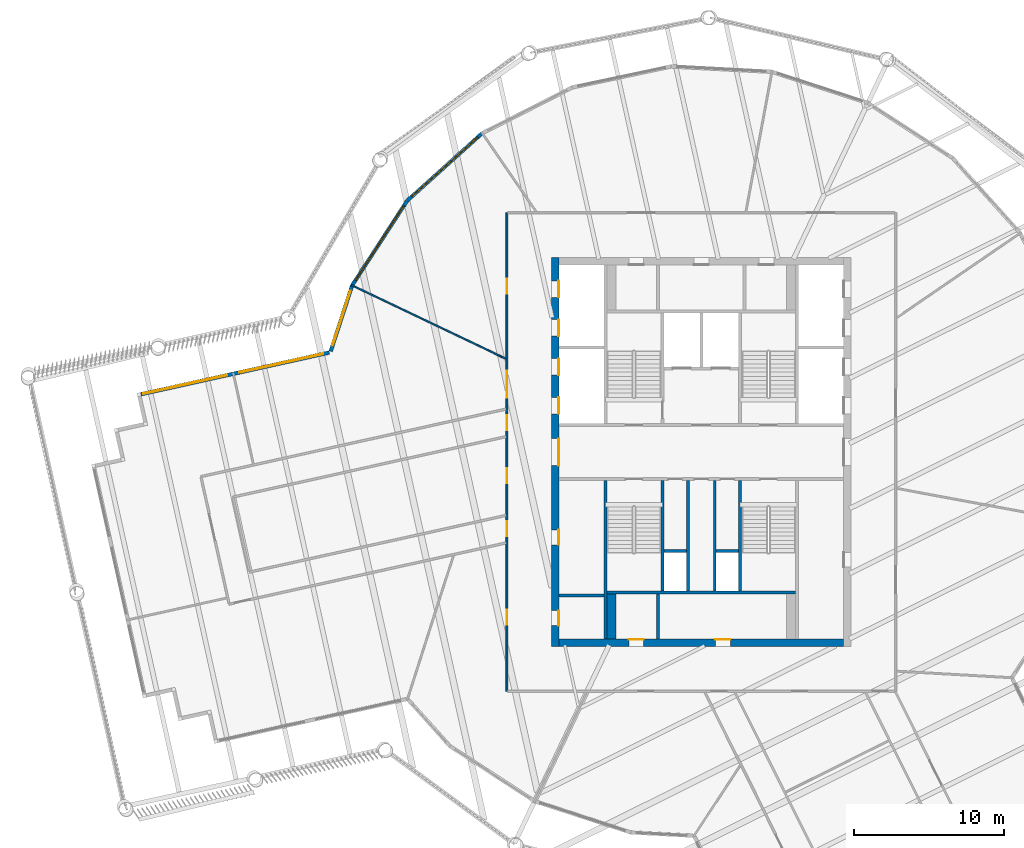
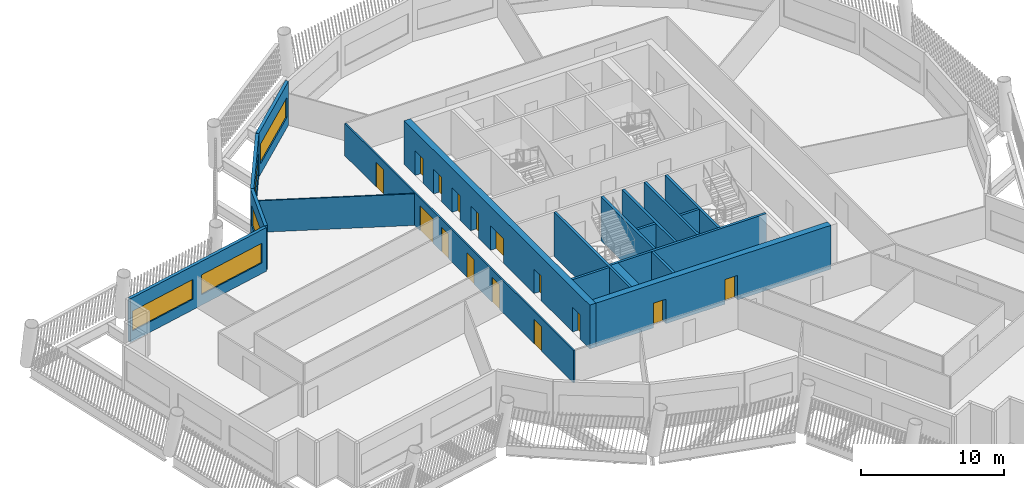
# One storey, part 4 of 14: 19 walls, 15 doors, 5 windows, 20 openings.
"""IFC4 building model written with IfcOpenShell, lengths in metres."""

from ifc_helpers import new_model, si_unit, direction, frame, frame_2d, origin, place, context, subcontext, project, spatial, rectangle, extrude, material, layer, layer_set, type_object, element, fill, save


model = new_model("IFC4")

# Units and contexts
model_context = context("Model", 3, precision=1e-05, world=origin(), true_north=direction((0.0, 1.0)))
body_context = subcontext(model_context, "Body", "Model", "MODEL_VIEW")
ifc_project = project(units=[si_unit("LENGTHUNIT", "METRE"), si_unit("AREAUNIT", "SQUARE_METRE"), si_unit("VOLUMEUNIT", "CUBIC_METRE"), si_unit("PLANEANGLEUNIT", "RADIAN"), si_unit("MASSUNIT", "GRAM", prefix="KILO")], contexts=[model_context])

# Site, building, storey
site_placement = place(None, origin())
site = spatial("IfcSite", under=ifc_project, at=site_placement, CompositionType="ELEMENT")
building_placement = place(site_placement, origin())
building = spatial("IfcBuilding", under=site, at=building_placement, Name="Tarsis Ring Headquarters", CompositionType="ELEMENT")
storey_placement = place(building_placement, frame((0.0, 0.0, 335.300048828125)))
storey = spatial("IfcBuildingStorey", under=building, at=storey_placement, Name="L79", CompositionType="ELEMENT", Elevation=335.300048828125)

# Walls
ifc_material_1 = material(Name="Blockwork", Category="masonry")
ifc_layer_1 = layer(ifc_material_1, 0.199951171875)
ifc_layer_set_1 = layer_set([ifc_layer_1], Name="Core blockwork wall 200")
wall_type_1 = type_object("IfcWallType", Name="Core blockwork wall 200", PredefinedType="PARTITIONING", material=ifc_layer_set_1)
for number, where, z_axis, x_axis, name in (
    (1, (-9.5, -9.60009765625, 0.0), (0.0, 0.0, 1.0), (1.0, 0.0, 0.0), "Core partition WD1"),
    (2, (-2.89990234375, -12.5, 0.0), (0.0, 0.0, 1.0), (0.0, 1.0, 0.0), "Core partition SD1"),
):
    element("IfcWall", number, at=place(storey_placement, frame(where, z_axis=z_axis, x_axis=x_axis)), inside=storey, type_object=wall_type_1, Name=name, PredefinedType="PARTITIONING", context=body_context, shape_type="SweptSolid", body=[
        extrude(rectangle(XDim=3.0, YDim=0.199951171875, at=frame_2d((1.5, 0.0))), origin(), (0.0, 0.0, 1.0), 3.739990234375),
    ])
for number, where, z_axis, x_axis, name in (
    (3, (-2.5, -6.60009765625, 0.0), (0.0, 0.0, 1.0), (1.0, 0.0, 0.0), "Core partition SP1"),
    (4, (1.0, -6.60009765625, 0.0), (0.0, 0.0, 1.0), (1.0, 0.0, 0.0), "Core partition SP3"),
):
    element("IfcWall", number, at=place(storey_placement, frame(where, z_axis=z_axis, x_axis=x_axis)), inside=storey, type_object=wall_type_1, Name=name, PredefinedType="PARTITIONING", context=body_context, shape_type="SweptSolid", body=[
        extrude(rectangle(XDim=1.5, YDim=0.199951171875, at=frame_2d((0.75, 0.0))), origin(), (0.0, 0.0, 1.0), 3.739990234375),
    ])
for number, where, z_axis, x_axis, name in (
    (5, (-0.89990234375, -9.300048828125, 0.0), (0.0, 0.0, 1.0), (0.0, 1.0, 0.0), "Core partition SV1"),
    (6, (0.89990234375, -9.300048828125, 0.0), (0.0, 0.0, 1.0), (0.0, 1.0, 0.0), "Core partition SV2"),
):
    element("IfcWall", number, at=place(storey_placement, frame(where, z_axis=z_axis, x_axis=x_axis)), inside=storey, type_object=wall_type_1, Name=name, PredefinedType="PARTITIONING", context=body_context, shape_type="SweptSolid", body=[
        extrude(rectangle(XDim=7.400146484375, YDim=0.199951171875, at=frame_2d((3.7001953125, 0.0))), origin(), (0.0, 0.0, 1.0), 3.739990234375),
    ])

# Wall, openings, doors
ifc_material_2 = material(Name="Concrete C50/60", Category="concrete")
ifc_layer_2 = layer(ifc_material_2, 0.5)
ifc_layer_set_2 = layer_set([ifc_layer_2], Name="Core wall 500 C50/60")
wall_type_2 = type_object("IfcWallType", Name="Core wall 500 C50/60", PredefinedType="SHEAR", material=ifc_layer_set_2)
wall_1_placement = place(storey_placement, frame((-9.75, -13.0, 0.0), z_axis=(0.0, 0.0, 1.0), x_axis=(0.0, 1.0, 0.0)))
wall_1 = element("IfcWall", 7, at=wall_1_placement, inside=storey, type_object=wall_type_2, Name="Core wall OW", PredefinedType="SHEAR", context=body_context, shape_type="SweptSolid", body=[
    extrude(rectangle(XDim=26.0, YDim=0.5, at=frame_2d((13.0, 0.0))), origin(), (0.0, 0.0, 1.0), 3.739990234375),
])
opening_1_placement = place(wall_1_placement, frame((1.39990234375, 0.0, 0.0)))
opening_1 = element("IfcOpeningElement", 8, at=opening_1_placement, cuts=wall_1, Name="Opening L79-C01", PredefinedType="OPENING", context=body_context, shape_type="SweptSolid", body=[
    extrude(rectangle(XDim=1.0, YDim=2.10009765625, at=frame_2d((0.5, 1.050048828125))), frame((0.0, 0.260009765625, 0.0), z_axis=(0.0, -1.0, 0.0), x_axis=(1.0, 0.0, 0.0)), (0.0, 0.0, 1.0), 0.52001953125),
])
opening_2_placement = place(wall_1_placement, frame((6.800048828125, 0.0, 0.0)))
opening_2 = element("IfcOpeningElement", 9, at=opening_2_placement, cuts=wall_1, Name="Opening L79-C02", PredefinedType="OPENING", context=body_context, shape_type="SweptSolid", body=[
    extrude(rectangle(XDim=1.0, YDim=2.10009765625, at=frame_2d((0.5, 1.050048828125))), frame((0.0, 0.260009765625, 0.0), z_axis=(0.0, -1.0, 0.0), x_axis=(1.0, 0.0, 0.0)), (0.0, 0.0, 1.0), 0.52001953125),
])
opening_3_placement = place(wall_1_placement, frame((12.10009765625, 0.0, 0.0)))
opening_3 = element("IfcOpeningElement", 10, at=opening_3_placement, cuts=wall_1, Name="Opening L79-C03", PredefinedType="OPENING", context=body_context, shape_type="SweptSolid", body=[
    extrude(rectangle(XDim=1.800048828125, YDim=2.10009765625, at=frame_2d((0.89990234375, 1.050048828125))), frame((0.0, 0.260009765625, 0.0), z_axis=(0.0, -1.0, 0.0), x_axis=(1.0, 0.0, 0.0)), (0.0, 0.0, 1.0), 0.52001953125),
])
opening_4_placement = place(wall_1_placement, frame((15.550048828125, 0.0, 0.0)))
opening_4 = element("IfcOpeningElement", 11, at=opening_4_placement, cuts=wall_1, Name="Opening LD-HR1", PredefinedType="OPENING", context=body_context, shape_type="SweptSolid", body=[
    extrude(rectangle(XDim=1.10009765625, YDim=2.10009765625, at=frame_2d((0.550048828125, 1.050048828125))), frame((0.0, 0.260009765625, 0.0), z_axis=(0.0, -1.0, 0.0), x_axis=(1.0, 0.0, 0.0)), (0.0, 0.0, 1.0), 0.52001953125),
])
opening_5_placement = place(wall_1_placement, frame((18.14990234375, 0.0, 0.0)))
opening_5 = element("IfcOpeningElement", 12, at=opening_5_placement, cuts=wall_1, Name="Opening LD-HR2", PredefinedType="OPENING", context=body_context, shape_type="SweptSolid", body=[
    extrude(rectangle(XDim=1.10009765625, YDim=2.10009765625, at=frame_2d((0.550048828125, 1.050048828125))), frame((0.0, 0.260009765625, 0.0), z_axis=(0.0, -1.0, 0.0), x_axis=(1.0, 0.0, 0.0)), (0.0, 0.0, 1.0), 0.52001953125),
])
opening_6_placement = place(wall_1_placement, frame((20.75, 0.0, 0.0)))
opening_6 = element("IfcOpeningElement", 13, at=opening_6_placement, cuts=wall_1, Name="Opening LD-HR3", PredefinedType="OPENING", context=body_context, shape_type="SweptSolid", body=[
    extrude(rectangle(XDim=1.10009765625, YDim=2.10009765625, at=frame_2d((0.550048828125, 1.050048828125))), frame((0.0, 0.260009765625, 0.0), z_axis=(0.0, -1.0, 0.0), x_axis=(1.0, 0.0, 0.0)), (0.0, 0.0, 1.0), 0.52001953125),
])
opening_7_placement = place(wall_1_placement, frame((23.35009765625, 0.0, 0.0)))
opening_7 = element("IfcOpeningElement", 14, at=opening_7_placement, cuts=wall_1, Name="Opening LD-HR4", PredefinedType="OPENING", context=body_context, shape_type="SweptSolid", body=[
    extrude(rectangle(XDim=1.10009765625, YDim=2.10009765625, at=frame_2d((0.550048828125, 1.050048828125))), frame((0.0, 0.260009765625, 0.0), z_axis=(0.0, -1.0, 0.0), x_axis=(1.0, 0.0, 0.0)), (0.0, 0.0, 1.0), 0.52001953125),
])
ifc_material_3 = material(Name="Steel S355", Category="steel")
door_type_1 = type_object("IfcDoorType", Name="Core entry door 1800x2100", OperationType="DOUBLE_DOOR_SINGLE_SWING", PredefinedType="DOOR", material=ifc_material_3)
door_1_placement = place(opening_3_placement, origin())
door_1 = element("IfcDoor", 15, at=door_1_placement, inside=storey, type_object=door_type_1, Name="Core entry door L79", OperationType="DOUBLE_DOOR_SINGLE_SWING", OverallHeight=2.10009765625, OverallWidth=1.800048828125, PredefinedType="DOOR", context=body_context, shape_type="SweptSolid", body=[
    extrude(rectangle(XDim=1.800048828125, YDim=2.10009765625, at=frame_2d((0.89990234375, 1.050048828125))), frame((0.0, -0.2001953125, 0.0), z_axis=(0.0, -1.0, 0.0), x_axis=(1.0, 0.0, 0.0)), (0.0, 0.0, 1.0), 0.050048828125),
])
fill(opening_3, door_1)
door_type_2 = type_object("IfcDoorType", Name="Core room door 1000x2100", OperationType="SINGLE_SWING_LEFT", PredefinedType="DOOR", material=ifc_material_3)
door_2_placement = place(opening_1_placement, origin())
door_2 = element("IfcDoor", 16, at=door_2_placement, inside=storey, type_object=door_type_2, Name="Core room door L79", OperationType="SINGLE_SWING_LEFT", OverallHeight=2.10009765625, OverallWidth=1.0, PredefinedType="DOOR", context=body_context, shape_type="SweptSolid", body=[
    extrude(rectangle(XDim=1.0, YDim=2.10009765625, at=frame_2d((0.5, 1.050048828125))), frame((0.0, -0.2001953125, 0.0), z_axis=(0.0, -1.0, 0.0), x_axis=(1.0, 0.0, 0.0)), (0.0, 0.0, 1.0), 0.050048828125),
])
fill(opening_1, door_2)
door_3_placement = place(opening_2_placement, origin())
door_3 = element("IfcDoor", 17, at=door_3_placement, inside=storey, type_object=door_type_2, Name="Core room door L79", OperationType="SINGLE_SWING_LEFT", OverallHeight=2.10009765625, OverallWidth=1.0, PredefinedType="DOOR", context=body_context, shape_type="SweptSolid", body=[
    extrude(rectangle(XDim=1.0, YDim=2.10009765625, at=frame_2d((0.5, 1.050048828125))), frame((0.0, -0.2001953125, 0.0), z_axis=(0.0, -1.0, 0.0), x_axis=(1.0, 0.0, 0.0)), (0.0, 0.0, 1.0), 0.050048828125),
])
fill(opening_2, door_3)
door_type_3 = type_object("IfcDoorType", Name="Landing door 1100x2100", OperationType="SLIDING_TO_LEFT", PredefinedType="DOOR", material=ifc_material_3)
door_4_placement = place(opening_4_placement, origin())
door_4 = element("IfcDoor", 18, at=door_4_placement, inside=storey, type_object=door_type_3, Name="Landing door HR1 L79", OperationType="SLIDING_TO_LEFT", OverallHeight=2.10009765625, OverallWidth=1.10009765625, PredefinedType="DOOR", context=body_context, shape_type="SweptSolid", body=[
    extrude(rectangle(XDim=1.10009765625, YDim=2.10009765625, at=frame_2d((0.550048828125, 1.050048828125))), frame((0.0, -0.2001953125, 0.0), z_axis=(0.0, -1.0, 0.0), x_axis=(1.0, 0.0, 0.0)), (0.0, 0.0, 1.0), 0.050048828125),
])
fill(opening_4, door_4)
door_5_placement = place(opening_5_placement, origin())
door_5 = element("IfcDoor", 19, at=door_5_placement, inside=storey, type_object=door_type_3, Name="Landing door HR2 L79", OperationType="SLIDING_TO_LEFT", OverallHeight=2.10009765625, OverallWidth=1.10009765625, PredefinedType="DOOR", context=body_context, shape_type="SweptSolid", body=[
    extrude(rectangle(XDim=1.10009765625, YDim=2.10009765625, at=frame_2d((0.550048828125, 1.050048828125))), frame((0.0, -0.2001953125, 0.0), z_axis=(0.0, -1.0, 0.0), x_axis=(1.0, 0.0, 0.0)), (0.0, 0.0, 1.0), 0.050048828125),
])
fill(opening_5, door_5)
door_6_placement = place(opening_6_placement, origin())
door_6 = element("IfcDoor", 20, at=door_6_placement, inside=storey, type_object=door_type_3, Name="Landing door HR3 L79", OperationType="SLIDING_TO_LEFT", OverallHeight=2.10009765625, OverallWidth=1.10009765625, PredefinedType="DOOR", context=body_context, shape_type="SweptSolid", body=[
    extrude(rectangle(XDim=1.10009765625, YDim=2.10009765625, at=frame_2d((0.550048828125, 1.050048828125))), frame((0.0, -0.2001953125, 0.0), z_axis=(0.0, -1.0, 0.0), x_axis=(1.0, 0.0, 0.0)), (0.0, 0.0, 1.0), 0.050048828125),
])
fill(opening_6, door_6)
door_7_placement = place(opening_7_placement, origin())
door_7 = element("IfcDoor", 21, at=door_7_placement, inside=storey, type_object=door_type_3, Name="Landing door HR4 L79", OperationType="SLIDING_TO_LEFT", OverallHeight=2.10009765625, OverallWidth=1.10009765625, PredefinedType="DOOR", context=body_context, shape_type="SweptSolid", body=[
    extrude(rectangle(XDim=1.10009765625, YDim=2.10009765625, at=frame_2d((0.550048828125, 1.050048828125))), frame((0.0, -0.2001953125, 0.0), z_axis=(0.0, -1.0, 0.0), x_axis=(1.0, 0.0, 0.0)), (0.0, 0.0, 1.0), 0.050048828125),
])
fill(opening_7, door_7)

wall_2_placement = place(storey_placement, frame((-9.5, -12.75, 0.0), z_axis=(0.0, 0.0, 1.0), x_axis=(1.0, 0.0, 0.0)))
wall_2 = element("IfcWall", 22, at=wall_2_placement, inside=storey, type_object=wall_type_2, Name="Core wall OS", PredefinedType="SHEAR", context=body_context, shape_type="SweptSolid", body=[
    extrude(rectangle(XDim=19.0, YDim=0.5, at=frame_2d((9.5, 0.0))), origin(), (0.0, 0.0, 1.0), 3.739990234375),
])
opening_8_placement = place(wall_2_placement, frame((4.64990234375, 0.0, 0.0)))
opening_8 = element("IfcOpeningElement", 23, at=opening_8_placement, cuts=wall_2, Name="Opening L79-C17", PredefinedType="OPENING", context=body_context, shape_type="SweptSolid", body=[
    extrude(rectangle(XDim=1.0, YDim=2.10009765625, at=frame_2d((0.5, 1.050048828125))), frame((0.0, 0.260009765625, 0.0), z_axis=(0.0, -1.0, 0.0), x_axis=(1.0, 0.0, 0.0)), (0.0, 0.0, 1.0), 0.52001953125),
])
opening_9_placement = place(wall_2_placement, frame((10.449951171875, 0.0, 0.0)))
opening_9 = element("IfcOpeningElement", 24, at=opening_9_placement, cuts=wall_2, Name="Opening L79-C18", PredefinedType="OPENING", context=body_context, shape_type="SweptSolid", body=[
    extrude(rectangle(XDim=1.0, YDim=2.10009765625, at=frame_2d((0.5, 1.050048828125))), frame((0.0, 0.260009765625, 0.0), z_axis=(0.0, -1.0, 0.0), x_axis=(1.0, 0.0, 0.0)), (0.0, 0.0, 1.0), 0.52001953125),
])
door_8_placement = place(opening_8_placement, origin())
door_8 = element("IfcDoor", 25, at=door_8_placement, inside=storey, type_object=door_type_2, Name="Core room door L79", OperationType="SINGLE_SWING_LEFT", OverallHeight=2.10009765625, OverallWidth=1.0, PredefinedType="DOOR", context=body_context, shape_type="SweptSolid", body=[
    extrude(rectangle(XDim=1.0, YDim=2.10009765625, at=frame_2d((0.5, 1.050048828125))), frame((0.0, 0.25, 0.0), z_axis=(0.0, -1.0, 0.0), x_axis=(1.0, 0.0, 0.0)), (0.0, 0.0, 1.0), 0.050048828125),
])
fill(opening_8, door_8)
door_9_placement = place(opening_9_placement, origin())
door_9 = element("IfcDoor", 26, at=door_9_placement, inside=storey, type_object=door_type_2, Name="Core room door L79", OperationType="SINGLE_SWING_LEFT", OverallHeight=2.10009765625, OverallWidth=1.0, PredefinedType="DOOR", context=body_context, shape_type="SweptSolid", body=[
    extrude(rectangle(XDim=1.0, YDim=2.10009765625, at=frame_2d((0.5, 1.050048828125))), frame((0.0, 0.25, 0.0), z_axis=(0.0, -1.0, 0.0), x_axis=(1.0, 0.0, 0.0)), (0.0, 0.0, 1.0), 0.050048828125),
])
fill(opening_9, door_9)

# Wall
ifc_material_4 = material(Name="Gypsum board on steel studs", Category="steel")
ifc_layer_3 = layer(ifc_material_4, 0.10009765625)
ifc_layer_set_3 = layer_set([ifc_layer_3], Name="FL partition 100 unrated")
wall_type_3 = type_object("IfcWallType", Name="FL partition 100 unrated", PredefinedType="PARTITIONING", material=ifc_layer_set_3)
wall_3_placement = place(storey_placement, frame((-23.416259765625, 11.178955078125, 0.0), z_axis=(0.0, 0.0, 1.0), x_axis=(0.902436059411, -0.430823813961, 0.0)))
element("IfcWall", 27, at=wall_3_placement, inside=storey, type_object=wall_type_3, Name="Partition PW3", PredefinedType="PARTITIONING", context=body_context, shape_type="SweptSolid", body=[
    extrude(rectangle(XDim=11.46240234375, YDim=0.10009765625, at=frame_2d((5.731201171875, 0.0))), origin(), (0.0, 0.0, 1.0), 2.699951171875),
])

# Wall, openings, doors
ifc_layer_4 = layer(ifc_material_4, 0.125)
ifc_layer_set_4 = layer_set([ifc_layer_4], Name="FL partition 125 EI 60 H2770")
wall_type_4 = type_object("IfcWallType", Name="FL partition 125 EI 60 H2770", PredefinedType="PARTITIONING", material=ifc_layer_set_4)
wall_4_placement = place(storey_placement, frame((-13.0, -16.0, 0.0), z_axis=(0.0, 0.0, 1.0), x_axis=(0.0, 1.0, 0.0)))
wall_4 = element("IfcWall", 28, at=wall_4_placement, inside=storey, type_object=wall_type_4, Name="Partition PW1", PredefinedType="PARTITIONING", context=body_context, shape_type="SweptSolid", body=[
    extrude(rectangle(XDim=32.0, YDim=0.125, at=frame_2d((16.0, 0.0))), origin(), (0.0, 0.0, 1.0), 2.77001953125),
])
opening_10_placement = place(wall_4_placement, frame((19.647705078125, 0.0, 0.0)))
opening_10 = element("IfcOpeningElement", 29, at=opening_10_placement, cuts=wall_4, Name="Opening D79.03", PredefinedType="OPENING", context=body_context, shape_type="SweptSolid", body=[
    extrude(rectangle(XDim=1.800048828125, YDim=2.10009765625, at=frame_2d((0.89990234375, 1.050048828125))), frame((0.0, 0.072509765625, 0.0), z_axis=(0.0, -1.0, 0.0), x_axis=(1.0, 0.0, 0.0)), (0.0, 0.0, 1.0), 0.14501953125),
])
opening_11_placement = place(wall_4_placement, frame((26.60302734375, 0.0, 0.0)))
opening_11 = element("IfcOpeningElement", 30, at=opening_11_placement, cuts=wall_4, Name="Opening D79.04", PredefinedType="OPENING", context=body_context, shape_type="SweptSolid", body=[
    extrude(rectangle(XDim=1.0, YDim=2.10009765625, at=frame_2d((0.5, 1.050048828125))), frame((0.0, 0.072509765625, 0.0), z_axis=(0.0, -1.0, 0.0), x_axis=(1.0, 0.0, 0.0)), (0.0, 0.0, 1.0), 0.14501953125),
])
opening_12_placement = place(wall_4_placement, frame((4.46875, 0.0, 0.0)))
opening_12 = element("IfcOpeningElement", 31, at=opening_12_placement, cuts=wall_4, Name="Opening D79.12", PredefinedType="OPENING", context=body_context, shape_type="SweptSolid", body=[
    extrude(rectangle(XDim=1.0, YDim=2.10009765625, at=frame_2d((0.5, 1.050048828125))), frame((0.0, 0.072509765625, 0.0), z_axis=(0.0, -1.0, 0.0), x_axis=(1.0, 0.0, 0.0)), (0.0, 0.0, 1.0), 0.14501953125),
])
opening_13_placement = place(wall_4_placement, frame((13.9130859375, 0.0, 0.0)))
opening_13 = element("IfcOpeningElement", 32, at=opening_13_placement, cuts=wall_4, Name="Opening D79.13", PredefinedType="OPENING", context=body_context, shape_type="SweptSolid", body=[
    extrude(rectangle(XDim=1.0, YDim=2.10009765625, at=frame_2d((0.5, 1.050048828125))), frame((0.0, 0.072509765625, 0.0), z_axis=(0.0, -1.0, 0.0), x_axis=(1.0, 0.0, 0.0)), (0.0, 0.0, 1.0), 0.14501953125),
])
opening_14_placement = place(wall_4_placement, frame((10.359130859375, 0.0, 0.0)))
opening_14 = element("IfcOpeningElement", 33, at=opening_14_placement, cuts=wall_4, Name="Opening D79.18", PredefinedType="OPENING", context=body_context, shape_type="SweptSolid", body=[
    extrude(rectangle(XDim=1.0, YDim=2.10009765625, at=frame_2d((0.5, 1.050048828125))), frame((0.0, 0.072509765625, 0.0), z_axis=(0.0, -1.0, 0.0), x_axis=(1.0, 0.0, 0.0)), (0.0, 0.0, 1.0), 0.14501953125),
])
opening_15_placement = place(wall_4_placement, frame((17.46728515625, 0.0, 0.0)))
opening_15 = element("IfcOpeningElement", 34, at=opening_15_placement, cuts=wall_4, Name="Opening D79.19", PredefinedType="OPENING", context=body_context, shape_type="SweptSolid", body=[
    extrude(rectangle(XDim=1.0, YDim=2.10009765625, at=frame_2d((0.5, 1.050048828125))), frame((0.0, 0.072509765625, 0.0), z_axis=(0.0, -1.0, 0.0), x_axis=(1.0, 0.0, 0.0)), (0.0, 0.0, 1.0), 0.14501953125),
])
ifc_material_5 = material(Name="Fire-rated timber door leaf in steel frame", Category="steel")
door_type_4 = type_object("IfcDoorType", Name="FL door FD60-1000", OperationType="NOTDEFINED", PredefinedType="DOOR", material=ifc_material_5)
door_10_placement = place(opening_11_placement, origin())
door_10 = element("IfcDoor", 35, at=door_10_placement, inside=storey, type_object=door_type_4, Name="Door D79.04", OperationType="SINGLE_SWING_LEFT", OverallHeight=2.10009765625, OverallWidth=1.0, PredefinedType="DOOR", context=body_context, shape_type="SweptSolid", body=[
    extrude(rectangle(XDim=1.0, YDim=2.10009765625, at=frame_2d((0.5, 1.050048828125))), frame((0.0, 0.02490234375, 0.0), z_axis=(0.0, -1.0, 0.0), x_axis=(1.0, 0.0, 0.0)), (0.0, 0.0, 1.0), 0.050048828125),
])
fill(opening_11, door_10)
door_11_placement = place(opening_12_placement, origin())
door_11 = element("IfcDoor", 36, at=door_11_placement, inside=storey, type_object=door_type_4, Name="Door D79.12", OperationType="SINGLE_SWING_LEFT", OverallHeight=2.10009765625, OverallWidth=1.0, PredefinedType="DOOR", context=body_context, shape_type="SweptSolid", body=[
    extrude(rectangle(XDim=1.0, YDim=2.10009765625, at=frame_2d((0.5, 1.050048828125))), frame((0.0, 0.02490234375, 0.0), z_axis=(0.0, -1.0, 0.0), x_axis=(1.0, 0.0, 0.0)), (0.0, 0.0, 1.0), 0.050048828125),
])
fill(opening_12, door_11)
door_12_placement = place(opening_13_placement, origin())
door_12 = element("IfcDoor", 37, at=door_12_placement, inside=storey, type_object=door_type_4, Name="Door D79.13", OperationType="SINGLE_SWING_RIGHT", OverallHeight=2.10009765625, OverallWidth=1.0, PredefinedType="DOOR", context=body_context, shape_type="SweptSolid", body=[
    extrude(rectangle(XDim=1.0, YDim=2.10009765625, at=frame_2d((0.5, 1.050048828125))), frame((0.0, 0.02490234375, 0.0), z_axis=(0.0, -1.0, 0.0), x_axis=(1.0, 0.0, 0.0)), (0.0, 0.0, 1.0), 0.050048828125),
])
fill(opening_13, door_12)
door_13_placement = place(opening_14_placement, origin())
door_13 = element("IfcDoor", 38, at=door_13_placement, inside=storey, type_object=door_type_4, Name="Door D79.18", OperationType="SINGLE_SWING_LEFT", OverallHeight=2.10009765625, OverallWidth=1.0, PredefinedType="DOOR", context=body_context, shape_type="SweptSolid", body=[
    extrude(rectangle(XDim=1.0, YDim=2.10009765625, at=frame_2d((0.5, 1.050048828125))), frame((0.0, 0.02490234375, 0.0), z_axis=(0.0, -1.0, 0.0), x_axis=(1.0, 0.0, 0.0)), (0.0, 0.0, 1.0), 0.050048828125),
])
fill(opening_14, door_13)
door_14_placement = place(opening_15_placement, origin())
door_14 = element("IfcDoor", 39, at=door_14_placement, inside=storey, type_object=door_type_4, Name="Door D79.19", OperationType="SINGLE_SWING_RIGHT", OverallHeight=2.10009765625, OverallWidth=1.0, PredefinedType="DOOR", context=body_context, shape_type="SweptSolid", body=[
    extrude(rectangle(XDim=1.0, YDim=2.10009765625, at=frame_2d((0.5, 1.050048828125))), frame((0.0, 0.02490234375, 0.0), z_axis=(0.0, -1.0, 0.0), x_axis=(1.0, 0.0, 0.0)), (0.0, 0.0, 1.0), 0.050048828125),
])
fill(opening_15, door_14)
door_type_5 = type_object("IfcDoorType", Name="FL door FD60-1800", OperationType="DOUBLE_DOOR_SINGLE_SWING", PredefinedType="DOOR", material=ifc_material_5)
door_15_placement = place(opening_10_placement, origin())
door_15 = element("IfcDoor", 40, at=door_15_placement, inside=storey, type_object=door_type_5, Name="Door D79.03", OperationType="DOUBLE_DOOR_SINGLE_SWING", OverallHeight=2.10009765625, OverallWidth=1.800048828125, PredefinedType="DOOR", context=body_context, shape_type="SweptSolid", body=[
    extrude(rectangle(XDim=1.800048828125, YDim=2.10009765625, at=frame_2d((0.89990234375, 1.050048828125))), frame((0.0, 0.02490234375, 0.0), z_axis=(0.0, -1.0, 0.0), x_axis=(1.0, 0.0, 0.0)), (0.0, 0.0, 1.0), 0.050048828125),
])
fill(opening_10, door_15)

# Wall, opening, window
ifc_material_6 = material(Name="Terracotta clad insulated panel wall", Category="masonry")
ifc_layer_5 = layer(ifc_material_6, 0.25)
ifc_layer_set_5 = layer_set([ifc_layer_5], Name="Facade wall terracotta panel 250")
wall_type_5 = type_object("IfcWallType", Name="Facade wall terracotta panel 250", PredefinedType="STANDARD", material=ifc_layer_set_5)
wall_5_placement = place(storey_placement, frame((-14.659912109375, 21.3173828125, 0.0), z_axis=(0.0, 0.0, 1.0), x_axis=(-0.743373608728, -0.66887642943, 0.0)))
wall_5 = element("IfcWall", 41, at=wall_5_placement, inside=storey, type_object=wall_type_5, Name="External wall L79-28", PredefinedType="STANDARD", context=body_context, shape_type="SweptSolid", body=[
    extrude(rectangle(XDim=6.721435546875, YDim=0.25, at=frame_2d((3.36083984375, 0.0))), origin(), (0.0, 0.0, 1.0), 3.739990234375),
])
opening_16_placement = place(wall_5_placement, frame((0.3857421875, 0.0, 0.89990234375)))
opening_16 = element("IfcOpeningElement", 42, at=opening_16_placement, cuts=wall_5, Name="Opening WN07", PredefinedType="OPENING", context=body_context, shape_type="SweptSolid", body=[
    extrude(rectangle(XDim=5.949951171875, YDim=1.699951171875, at=frame_2d((2.97509765625, 0.85009765625))), frame((0.0, 0.135009765625, 0.0), z_axis=(0.0, -1.0, 0.0), x_axis=(1.0, 0.0, 0.0)), (0.0, 0.0, 1.0), 0.27001953125),
])
ifc_material_7 = material(Name="Aluminium framed double glazing", Category="aluminium")
window_type_1 = type_object("IfcWindowType", Name="Facade window 5950 x 1700", PartitioningType="SINGLE_PANEL", PredefinedType="WINDOW", material=ifc_material_7)
window_1_placement = place(opening_16_placement, origin())
window_1 = element("IfcWindow", 43, at=window_1_placement, inside=storey, type_object=window_type_1, Name="Window L79-28.1", OverallHeight=1.699951171875, OverallWidth=5.949951171875, PartitioningType="SINGLE_PANEL", PredefinedType="WINDOW", context=body_context, shape_type="SweptSolid", body=[
    extrude(rectangle(XDim=5.949951171875, YDim=1.699951171875, at=frame_2d((2.97509765625, 0.85009765625))), frame((0.0, 0.030029296875, 0.0), z_axis=(0.0, -1.0, 0.0), x_axis=(1.0, 0.0, 0.0)), (0.0, 0.0, 1.0), 0.06005859375),
])
fill(opening_16, window_1)

wall_6_placement = place(storey_placement, frame((-19.677734375, 16.796875, 0.0), z_axis=(0.0, 0.0, 1.0), x_axis=(-0.544930898848, -0.838480957136, 0.0)))
wall_6 = element("IfcWall", 44, at=wall_6_placement, inside=storey, type_object=wall_type_5, Name="External wall L79-29", PredefinedType="STANDARD", context=body_context, shape_type="SweptSolid", body=[
    extrude(rectangle(XDim=6.7216796875, YDim=0.25, at=frame_2d((3.36083984375, 0.0))), origin(), (0.0, 0.0, 1.0), 3.739990234375),
])
opening_17_placement = place(wall_6_placement, frame((0.3857421875, 0.0, 0.89990234375)))
opening_17 = element("IfcOpeningElement", 45, at=opening_17_placement, cuts=wall_6, Name="Opening WN07", PredefinedType="OPENING", context=body_context, shape_type="SweptSolid", body=[
    extrude(rectangle(XDim=5.949951171875, YDim=1.699951171875, at=frame_2d((2.97509765625, 0.85009765625))), frame((0.0, 0.135009765625, 0.0), z_axis=(0.0, -1.0, 0.0), x_axis=(1.0, 0.0, 0.0)), (0.0, 0.0, 1.0), 0.27001953125),
])
window_2_placement = place(opening_17_placement, origin())
window_2 = element("IfcWindow", 46, at=window_2_placement, inside=storey, type_object=window_type_1, Name="Window L79-29.1", OverallHeight=1.699951171875, OverallWidth=5.949951171875, PartitioningType="SINGLE_PANEL", PredefinedType="WINDOW", context=body_context, shape_type="SweptSolid", body=[
    extrude(rectangle(XDim=5.949951171875, YDim=1.699951171875, at=frame_2d((2.97509765625, 0.85009765625))), frame((0.0, 0.030029296875, 0.0), z_axis=(0.0, -1.0, 0.0), x_axis=(1.0, 0.0, 0.0)), (0.0, 0.0, 1.0), 0.06005859375),
])
fill(opening_17, window_2)

wall_7_placement = place(storey_placement, frame((-23.354736328125, 11.131591796875, 0.0), z_axis=(0.0, 0.0, 1.0), x_axis=(-0.309335911288, -0.950952834786, 0.0)))
wall_7 = element("IfcWall", 47, at=wall_7_placement, inside=storey, type_object=wall_type_5, Name="External wall L79-30", PredefinedType="STANDARD", context=body_context, shape_type="SweptSolid", body=[
    extrude(rectangle(XDim=4.617919921875, YDim=0.25, at=frame_2d((2.30908203125, 0.0))), origin(), (0.0, 0.0, 1.0), 3.739990234375),
])
opening_18_placement = place(wall_7_placement, frame((0.367431640625, 0.0, 0.89990234375)))
opening_18 = element("IfcOpeningElement", 48, at=opening_18_placement, cuts=wall_7, Name="Opening WN02", PredefinedType="OPENING", context=body_context, shape_type="SweptSolid", body=[
    extrude(rectangle(XDim=3.85009765625, YDim=1.699951171875, at=frame_2d((1.925048828125, 0.85009765625))), frame((0.0, 0.135009765625, 0.0), z_axis=(0.0, -1.0, 0.0), x_axis=(1.0, 0.0, 0.0)), (0.0, 0.0, 1.0), 0.27001953125),
])
window_type_2 = type_object("IfcWindowType", Name="Facade window 3850 x 1700", PartitioningType="SINGLE_PANEL", PredefinedType="WINDOW", material=ifc_material_7)
window_3_placement = place(opening_18_placement, origin())
window_3 = element("IfcWindow", 49, at=window_3_placement, inside=storey, type_object=window_type_2, Name="Window L79-30.1", OverallHeight=1.699951171875, OverallWidth=3.85009765625, PartitioningType="SINGLE_PANEL", PredefinedType="WINDOW", context=body_context, shape_type="SweptSolid", body=[
    extrude(rectangle(XDim=3.85009765625, YDim=1.699951171875, at=frame_2d((1.925048828125, 0.85009765625))), frame((0.0, 0.030029296875, 0.0), z_axis=(0.0, -1.0, 0.0), x_axis=(1.0, 0.0, 0.0)), (0.0, 0.0, 1.0), 0.06005859375),
])
fill(opening_18, window_3)

# Wall, openings, windows
wall_8_placement = place(storey_placement, frame((-24.875, 6.65673828125, 0.0), z_axis=(0.0, 0.0, 1.0), x_axis=(-0.976373265533, -0.216090828939, 0.0)))
wall_8 = element("IfcWall", 50, at=wall_8_placement, inside=storey, type_object=wall_type_5, Name="External wall L79-31", PredefinedType="STANDARD", context=body_context, shape_type="SweptSolid", body=[
    extrude(rectangle(XDim=12.9013671875, YDim=0.25, at=frame_2d((6.45068359375, 0.0))), origin(), (0.0, 0.0, 1.0), 3.739990234375),
])
opening_19_placement = place(wall_8_placement, frame((0.412841796875, 0.0, 0.89990234375)))
opening_19 = element("IfcOpeningElement", 51, at=opening_19_placement, cuts=wall_8, Name="Opening WN06", PredefinedType="OPENING", context=body_context, shape_type="SweptSolid", body=[
    extrude(rectangle(XDim=5.75, YDim=1.699951171875, at=frame_2d((2.875, 0.85009765625))), frame((0.0, 0.135009765625, 0.0), z_axis=(0.0, -1.0, 0.0), x_axis=(1.0, 0.0, 0.0)), (0.0, 0.0, 1.0), 0.27001953125),
])
opening_20_placement = place(wall_8_placement, frame((6.988525390625, 0.0, 0.89990234375)))
opening_20 = element("IfcOpeningElement", 52, at=opening_20_placement, cuts=wall_8, Name="Opening WN06", PredefinedType="OPENING", context=body_context, shape_type="SweptSolid", body=[
    extrude(rectangle(XDim=5.75, YDim=1.699951171875, at=frame_2d((2.875, 0.85009765625))), frame((0.0, 0.135009765625, 0.0), z_axis=(0.0, -1.0, 0.0), x_axis=(1.0, 0.0, 0.0)), (0.0, 0.0, 1.0), 0.27001953125),
])
window_type_3 = type_object("IfcWindowType", Name="Facade window 5750 x 1700", PartitioningType="SINGLE_PANEL", PredefinedType="WINDOW", material=ifc_material_7)
window_4_placement = place(opening_19_placement, origin())
window_4 = element("IfcWindow", 53, at=window_4_placement, inside=storey, type_object=window_type_3, Name="Window L79-31.1", OverallHeight=1.699951171875, OverallWidth=5.75, PartitioningType="SINGLE_PANEL", PredefinedType="WINDOW", context=body_context, shape_type="SweptSolid", body=[
    extrude(rectangle(XDim=5.75, YDim=1.699951171875, at=frame_2d((2.875, 0.85009765625))), frame((0.0, 0.030029296875, 0.0), z_axis=(0.0, -1.0, 0.0), x_axis=(1.0, 0.0, 0.0)), (0.0, 0.0, 1.0), 0.06005859375),
])
fill(opening_19, window_4)
window_5_placement = place(opening_20_placement, origin())
window_5 = element("IfcWindow", 54, at=window_5_placement, inside=storey, type_object=window_type_3, Name="Window L79-31.2", OverallHeight=1.699951171875, OverallWidth=5.75, PartitioningType="SINGLE_PANEL", PredefinedType="WINDOW", context=body_context, shape_type="SweptSolid", body=[
    extrude(rectangle(XDim=5.75, YDim=1.699951171875, at=frame_2d((2.875, 0.85009765625))), frame((0.0, 0.030029296875, 0.0), z_axis=(0.0, -1.0, 0.0), x_axis=(1.0, 0.0, 0.0)), (0.0, 0.0, 1.0), 0.06005859375),
])
fill(opening_20, window_5)

# Walls
ifc_material_8 = material(Name="Concrete C32/40", Category="concrete")
ifc_layer_6 = layer(ifc_material_8, 0.60009765625)
ifc_layer_set_6 = layer_set([ifc_layer_6], Name="Shaft end wall 600 C32/40")
wall_type_6 = type_object("IfcWallType", Name="Shaft end wall 600 C32/40", PredefinedType="SOLIDWALL", material=ifc_layer_set_6)
wall_9_placement = place(storey_placement, frame((-6.0, -12.5, 0.0), z_axis=(0.0, 0.0, 1.0), x_axis=(0.0, 1.0, 0.0)))
element("IfcWall", 55, at=wall_9_placement, inside=storey, type_object=wall_type_6, Name="Core shaft wall SNE1", PredefinedType="SOLIDWALL", context=body_context, shape_type="SweptSolid", body=[
    extrude(rectangle(XDim=3.0, YDim=0.60009765625, at=frame_2d((1.5, 0.0))), origin(), (0.0, 0.0, 1.0), 3.739990234375),
])
ifc_layer_7 = layer(ifc_material_8, 0.199951171875)
ifc_layer_set_7 = layer_set([ifc_layer_7], Name="Shaft wall 200 C32/40")
wall_type_7 = type_object("IfcWallType", Name="Shaft wall 200 C32/40", PredefinedType="SOLIDWALL", material=ifc_layer_set_7)
wall_10_placement = place(storey_placement, frame((-6.39990234375, -12.5, 0.0), z_axis=(0.0, 0.0, 1.0), x_axis=(0.0, 1.0, 0.0)))
element("IfcWall", 56, at=wall_10_placement, inside=storey, type_object=wall_type_7, Name="Core shaft wall WB1", PredefinedType="SOLIDWALL", context=body_context, shape_type="SweptSolid", body=[
    extrude(rectangle(XDim=10.60009765625, YDim=0.199951171875, at=frame_2d((5.300048828125, 0.0))), origin(), (0.0, 0.0, 1.0), 3.739990234375),
])
wall_11_placement = place(storey_placement, frame((-6.300048828125, -9.39990234375, 0.0), z_axis=(0.0, 0.0, 1.0), x_axis=(1.0, 0.0, 0.0)))
element("IfcWall", 57, at=wall_11_placement, inside=storey, type_object=wall_type_7, Name="Core shaft wall SB", PredefinedType="SOLIDWALL", context=body_context, shape_type="SweptSolid", body=[
    extrude(rectangle(XDim=12.60009765625, YDim=0.199951171875, at=frame_2d((6.300048828125, 0.0))), origin(), (0.0, 0.0, 1.0), 3.739990234375),
])
for number, where, z_axis, x_axis, name in (
    (58, (-2.60009765625, -9.300048828125, 0.0), (0.0, 0.0, 1.0), (0.0, 1.0, 0.0), "Core shaft wall SW3"),
    (59, (2.60009765625, -9.300048828125, 0.0), (0.0, 0.0, 1.0), (0.0, 1.0, 0.0), "Core shaft wall SW4"),
):
    element("IfcWall", number, at=place(storey_placement, frame(where, z_axis=z_axis, x_axis=x_axis)), inside=storey, type_object=wall_type_7, Name=name, PredefinedType="SOLIDWALL", context=body_context, shape_type="SweptSolid", body=[
        extrude(rectangle(XDim=7.400146484375, YDim=0.199951171875, at=frame_2d((3.7001953125, 0.0))), origin(), (0.0, 0.0, 1.0), 3.739990234375),
    ])

save(model, "model.ifc")
